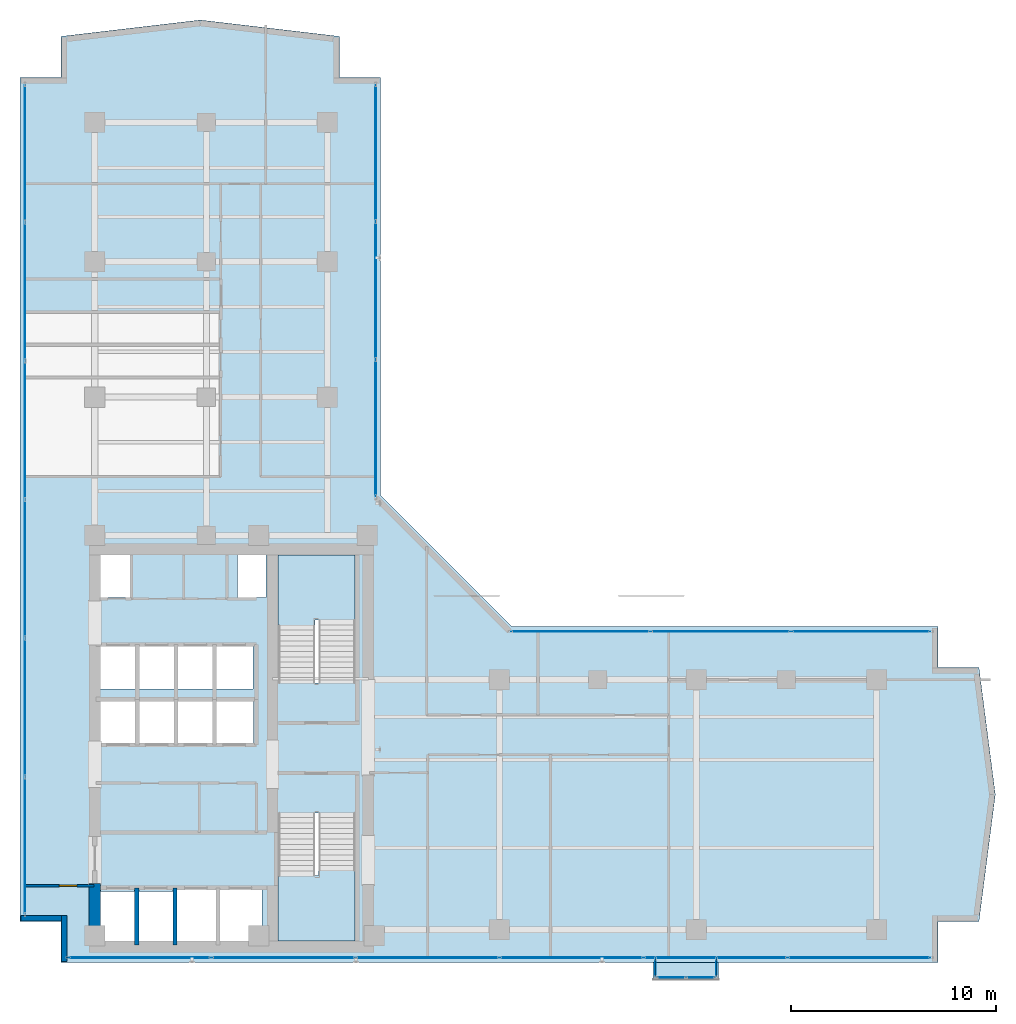
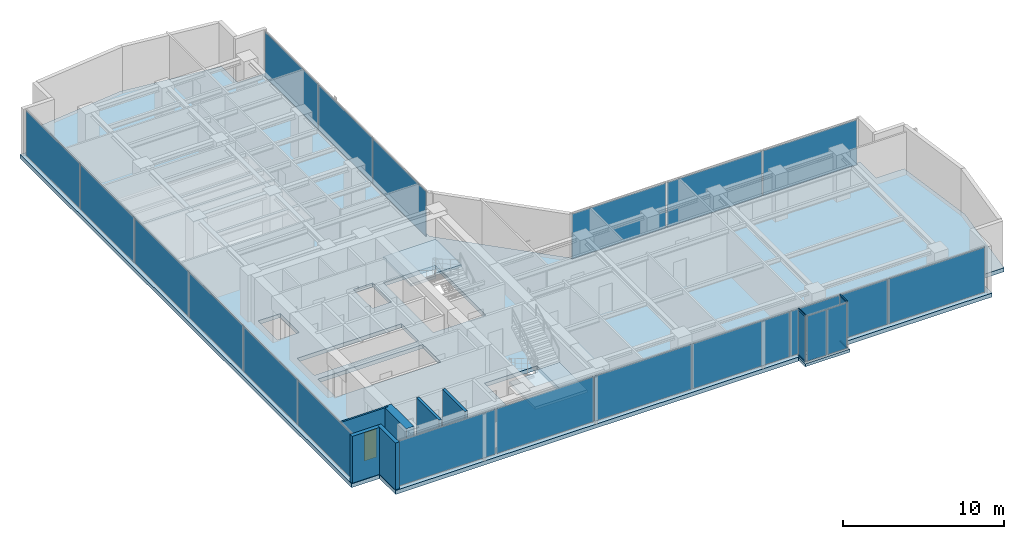
# One storey, part 16 of 25: 22 plates, 6 walls, 4 members, 4 slabs, 1 door, 1 opening, 9 elements without a shape of their own.
"""IFC4 building model written with IfcOpenShell, lengths in metres."""

from ifc_helpers import new_model, si_unit, direction, frame, frame_2d, origin, origin_with_axes, origin_2d, place, context, subcontext, project, spatial, polyline, rectangle, hollow_rectangle, outline, extrude, source, transform, mapped, material, layer, layer_set, material_profile, profile_set, type_object, element, fill, aggregate, save


model = new_model("IFC4")

# Units and contexts
model_context = context("Model", 3, precision=1e-05, world=origin(), true_north=direction((0.0, 1.0)))
body_context = subcontext(model_context, "Body", "Model", "MODEL_VIEW")
ifc_project = project(units=[si_unit("LENGTHUNIT", "METRE"), si_unit("AREAUNIT", "SQUARE_METRE"), si_unit("VOLUMEUNIT", "CUBIC_METRE"), si_unit("PLANEANGLEUNIT", "RADIAN"), si_unit("MASSUNIT", "GRAM", prefix="KILO")], contexts=[model_context])

# Site, building, storey
site_placement = place(None, origin())
site = spatial("IfcSite", under=ifc_project, at=site_placement, CompositionType="ELEMENT")
building_placement = place(site_placement, origin())
building = spatial("IfcBuilding", under=site, at=building_placement, Name="Kolvaren Waterfront Exchange", CompositionType="ELEMENT")
storey_placement = place(building_placement, frame((0.0, 0.0, 223.5)))
storey = spatial("IfcBuildingStorey", under=building, at=storey_placement, Name="L57", CompositionType="ELEMENT", Elevation=223.5)

# Curtain wall, members
ifc_material_1 = material(Name="Anodised bronze aluminium 6063-T6", Category="aluminium")
ifc_layer_1 = layer(ifc_material_1, 0.219970703125, Name="Anodised bronze aluminium 6063-T6")
ifc_layer_set_1 = layer_set([ifc_layer_1], Name="Anodised bronze aluminium 6063-T6")
curtain_wall_type_1 = type_object("IfcCurtainWallType", Name="ARC-CW-SYS3", PredefinedType="USERDEFINED", material=ifc_layer_set_1)
curtain_wall_1_placement = place(storey_placement, origin())
curtain_wall_1 = element("IfcCurtainWall", 1, at=curtain_wall_1_placement, inside=storey, type_object=curtain_wall_type_1, Name="L57 stick curtain wall CW3 (CW-L57-BOX-W)", ObjectType="STICK CURTAIN WALL", PredefinedType="USERDEFINED")
ifc_material_profile = material_profile(ifc_material_1, hollow_rectangle(XDim=0.06494140625, YDim=0.1298828125, WallThickness=0.00390625, at=origin_2d()), Name="ALU-TRN-130x65x4")
ifc_profile_set = profile_set([ifc_material_profile], Name="Anodised bronze aluminium 6063-T6")
member_type = type_object("IfcMemberType", Name="ARC-CWT-130", PredefinedType="USERDEFINED", material=ifc_profile_set)
shared_shape_1 = source(origin_with_axes(), body_context, "Body", "SweptSolid", [
    extrude(hollow_rectangle(XDim=0.06494140625, YDim=0.1298828125, WallThickness=0.00390625, at=origin_2d()), origin(), (0.0, 0.0, 1.0), 0.829833984375),
])
member_1_placement = place(storey_placement, frame((34.81005859375, 3.764892578125, 0.032470703125), z_axis=(0.0, -1.0, 0.0), x_axis=(1.0, 0.0, 0.0)))
member_1 = element("IfcMember", 2, at=member_1_placement, type_object=member_type, Name="CW3 transom 1.1", ObjectType="TRANSOM", PredefinedType="USERDEFINED", context=body_context, shape_type="MappedRepresentation", body=[
    mapped(shared_shape_1, transform((0.0, 0.0, 0.0), x_axis=(1.0, 0.0, 0.0), y_axis=(0.0, 1.0, 0.0), z_axis=(0.0, 0.0, 1.0), scale=1.0)),
])
member_2_placement = place(storey_placement, frame((34.81005859375, 3.764892578125, 3.527587890625), z_axis=(0.0, -1.0, 0.0), x_axis=(1.0, 0.0, 0.0)))
member_2 = element("IfcMember", 3, at=member_2_placement, type_object=member_type, Name="CW3 transom 1.2", ObjectType="TRANSOM", PredefinedType="USERDEFINED", context=body_context, shape_type="MappedRepresentation", body=[
    mapped(shared_shape_1, transform((0.0, 0.0, 0.0), x_axis=(1.0, 0.0, 0.0), y_axis=(0.0, 1.0, 0.0), z_axis=(0.0, 0.0, 1.0), scale=1.0)),
])

curtain_wall_2_placement = place(storey_placement, origin())
curtain_wall_2 = element("IfcCurtainWall", 4, at=curtain_wall_2_placement, inside=storey, type_object=curtain_wall_type_1, Name="L57 stick curtain wall CW3 (CW-L57-BOX-E)", ObjectType="STICK CURTAIN WALL", PredefinedType="USERDEFINED")
member_3_placement = place(storey_placement, frame((37.7900390625, 2.93505859375, 0.032470703125), z_axis=(0.0, 1.0, 0.0), x_axis=(-1.0, 0.0, 0.0)))
member_3 = element("IfcMember", 5, at=member_3_placement, type_object=member_type, Name="CW3 transom 1.1", ObjectType="TRANSOM", PredefinedType="USERDEFINED", context=body_context, shape_type="MappedRepresentation", body=[
    mapped(shared_shape_1, transform((0.0, 0.0, 0.0), x_axis=(1.0, 0.0, 0.0), y_axis=(0.0, 1.0, 0.0), z_axis=(0.0, 0.0, 1.0), scale=1.0)),
])
member_4_placement = place(storey_placement, frame((37.7900390625, 2.93505859375, 3.527587890625), z_axis=(0.0, 1.0, 0.0), x_axis=(-1.0, 0.0, 0.0)))
member_4 = element("IfcMember", 6, at=member_4_placement, type_object=member_type, Name="CW3 transom 1.2", ObjectType="TRANSOM", PredefinedType="USERDEFINED", context=body_context, shape_type="MappedRepresentation", body=[
    mapped(shared_shape_1, transform((0.0, 0.0, 0.0), x_axis=(1.0, 0.0, 0.0), y_axis=(0.0, 1.0, 0.0), z_axis=(0.0, 0.0, 1.0), scale=1.0)),
])

# Stair, slab
ifc_material_2 = material(Name="Concrete C40/50", Category="concrete")
stair_type = type_object("IfcStairType", Name="ARC-STAIR-3800", PredefinedType="HALF_TURN_STAIR", material=ifc_material_2)
stair_1_placement = place(storey_placement, origin())
stair_1 = element("IfcStair", 7, at=stair_1_placement, inside=storey, type_object=stair_type, Name="L57 Smoke-proof exit stair ST1", PredefinedType="HALF_TURN_STAIR")
ifc_layer_2 = layer(ifc_material_2, 0.199951171875, Name="Concrete C40/50")
ifc_layer_set_2 = layer_set([ifc_layer_2], Name="Concrete C40/50")
slab_type_1 = type_object("IfcSlabType", Name="STR-LANDING-200", PredefinedType="LANDING", material=ifc_layer_set_2)
slab_1_placement = place(storey_placement, frame((0.0, 0.0, 1.77587890625)))
slab_1 = element("IfcSlab", 8, at=slab_1_placement, type_object=slab_type_1, Name="ST1 landing 1", PredefinedType="LANDING", context=body_context, shape_type="SweptSolid", body=[
    extrude(outline(polyline([(16.39990234375, 7.840087890625), (16.39990234375, 4.64990234375), (20.159912109375, 4.64990234375), (20.159912109375, 8.10009765625), (18.360107421875, 8.10009765625), (18.360107421875, 7.840087890625), (16.39990234375, 7.840087890625)])), origin(), (0.0, 0.0, 1.0), 0.2001953125),
])
aggregate(stair_1, [slab_1])

stair_2_placement = place(storey_placement, origin())
stair_2 = element("IfcStair", 9, at=stair_2_placement, inside=storey, type_object=stair_type, Name="L57 Smoke-proof exit stair ST2", PredefinedType="HALF_TURN_STAIR")
slab_2_placement = place(storey_placement, frame((0.0, 0.0, 1.77587890625)))
slab_2 = element("IfcSlab", 10, at=slab_2_placement, type_object=slab_type_1, Name="ST2 landing 1", PredefinedType="LANDING", context=body_context, shape_type="SweptSolid", body=[
    extrude(outline(polyline([(20.159912109375, 20.31005859375), (20.159912109375, 23.5), (16.39990234375, 23.5), (16.39990234375, 20.050048828125), (18.199951171875, 20.050048828125), (18.199951171875, 20.31005859375), (20.159912109375, 20.31005859375)])), origin(), (0.0, 0.0, 1.0), 0.2001953125),
])
aggregate(stair_2, [slab_2])

# Slabs
ifc_layer_3 = layer(ifc_material_2, 0.300048828125, Name="Concrete C40/50")
ifc_layer_set_3 = layer_set([ifc_layer_3], Name="Concrete C40/50")
slab_type_2 = type_object("IfcSlabType", Name="STR-SLAB-300", PredefinedType="FLOOR", material=ifc_layer_set_3)
slab_3_placement = place(storey_placement, frame((0.0, 0.0, -0.300048828125)))
element("IfcSlab", 11, at=slab_3_placement, inside=storey, type_object=slab_type_2, Name="L57 structural floor slab", PredefinedType="FLOOR", context=body_context, shape_type="SweptSolid", body=[
    extrude(outline(polyline([(5.800048828125, 3.60009765625), (48.60009765625, 3.60009765625), (48.60009765625, 5.60009765625), (50.60009765625, 5.60009765625), (51.39990234375, 11.800048828125), (50.60009765625, 18.0), (48.60009765625, 18.0), (48.60009765625, 20.0), (27.800048828125, 20.0), (21.39990234375, 26.39990234375), (21.39990234375, 46.800048828125), (19.39990234375, 46.800048828125), (19.39990234375, 48.800048828125), (12.60009765625, 49.60009765625), (5.800048828125, 48.800048828125), (5.800048828125, 46.800048828125), (3.800048828125, 46.800048828125), (3.800048828125, 5.60009765625), (5.800048828125, 5.60009765625), (5.800048828125, 3.60009765625)]), holes=[polyline([(11.320068359375, 7.260009765625), (15.610107421875, 7.260009765625), (15.610107421875, 4.5400390625), (7.719970703125, 4.5400390625), (7.719970703125, 7.06005859375), (11.320068359375, 7.06005859375), (11.320068359375, 7.260009765625)]), polyline([(20.159912109375, 10.89990234375), (20.159912109375, 4.64990234375), (16.39990234375, 4.64990234375), (16.39990234375, 10.89990234375), (20.159912109375, 10.89990234375)]), polyline([(15.18505859375, 14.239990234375), (7.64501953125, 14.239990234375), (7.64501953125, 16.4599609375), (15.18505859375, 16.4599609375), (15.18505859375, 14.239990234375)]), polyline([(15.159912109375, 16.93994140625), (7.669921875, 16.93994140625), (7.669921875, 19.06005859375), (15.159912109375, 19.06005859375), (15.159912109375, 16.93994140625)]), polyline([(16.39990234375, 17.25), (16.39990234375, 23.5), (20.159912109375, 23.5), (20.159912109375, 17.25), (16.39990234375, 17.25)]), polyline([(7.60009765625, 23.780029296875), (9.179931640625, 23.780029296875), (9.179931640625, 21.419921875), (7.60009765625, 21.419921875), (7.60009765625, 23.780029296875)]), polyline([(14.419921875, 23.780029296875), (15.800048828125, 23.780029296875), (15.800048828125, 21.419921875), (14.419921875, 21.419921875), (14.419921875, 23.780029296875)])]), origin(), (0.0, 0.0, 1.0), 0.300048828125),
])
ifc_layer_4 = layer(ifc_material_2, 0.219970703125, Name="Concrete C40/50")
ifc_layer_set_4 = layer_set([ifc_layer_4], Name="Concrete C40/50")
slab_type_3 = type_object("IfcSlabType", Name="STR-TERR-220", PredefinedType="FLOOR", material=ifc_layer_set_4)
slab_4_placement = place(storey_placement, frame((0.0, 0.0, -0.219970703125)))
element("IfcSlab", 12, at=slab_4_placement, inside=storey, type_object=slab_type_3, Name="L57 projecting bay-box floor strip", PredefinedType="FLOOR", context=body_context, shape_type="SweptSolid", body=[
    extrude(outline(polyline([(34.699951171875, 2.75), (37.89990234375, 2.75), (37.89990234375, 3.60009765625), (34.699951171875, 3.60009765625), (34.699951171875, 2.75)])), origin(), (0.0, 0.0, 1.0), 0.219970703125),
])

# Plate
ifc_material_3 = material(Name="Bronze tinted bay-box vision glass", Category="aluminium")
ifc_layer_5 = layer(ifc_material_3, 0.02392578125, Name="Bronze tinted bay-box vision glass")
ifc_layer_set_5 = layer_set([ifc_layer_5], Name="Bronze tinted bay-box vision glass")
plate_type_1 = type_object("IfcPlateType", Name="ARC-CWP-24", PredefinedType="CURTAIN_PANEL", material=ifc_layer_set_5)
shared_shape_2 = source(origin_with_axes(), body_context, "Body", "SweptSolid", [
    extrude(rectangle(XDim=0.830078125, YDim=0.02392578125, at=origin_2d()), origin(), (0.0, 0.0, 1.0), 3.429931640625),
])
plate_1_placement = place(storey_placement, frame((34.81005859375, 3.35009765625, 0.06494140625), z_axis=(0.0, 0.0, 1.0), x_axis=(0.0, -1.0, 0.0)))
plate_1 = element("IfcPlate", 13, at=plate_1_placement, type_object=plate_type_1, Name="CW3 panel 1.1", PredefinedType="CURTAIN_PANEL", context=body_context, shape_type="MappedRepresentation", body=[
    mapped(shared_shape_2, transform((0.0, 0.0, 0.0), x_axis=(1.0, 0.0, 0.0), y_axis=(0.0, 1.0, 0.0), z_axis=(0.0, 0.0, 1.0), scale=1.0)),
])

aggregate(curtain_wall_1, [member_1, member_2, plate_1])

plate_2_placement = place(storey_placement, frame((37.7900390625, 3.35009765625, 0.06494140625), z_axis=(0.0, 0.0, 1.0), x_axis=(0.0, 1.0, 0.0)))
plate_2 = element("IfcPlate", 14, at=plate_2_placement, type_object=plate_type_1, Name="CW3 panel 1.1", PredefinedType="CURTAIN_PANEL", context=body_context, shape_type="MappedRepresentation", body=[
    mapped(shared_shape_2, transform((0.0, 0.0, 0.0), x_axis=(1.0, 0.0, 0.0), y_axis=(0.0, 1.0, 0.0), z_axis=(0.0, 0.0, 1.0), scale=1.0)),
])

aggregate(curtain_wall_2, [member_3, member_4, plate_2])

# Curtain wall, plates
curtain_wall_3_placement = place(storey_placement, origin())
curtain_wall_3 = element("IfcCurtainWall", 15, at=curtain_wall_3_placement, inside=storey, type_object=curtain_wall_type_1, Name="L57 stick curtain wall CW3 (CW-L57-BOX)", ObjectType="STICK CURTAIN WALL", PredefinedType="USERDEFINED")
shared_shape_3 = source(origin_with_axes(), body_context, "Body", "SweptSolid", [
    extrude(rectangle(XDim=1.37744140625, YDim=0.02392578125, at=origin_2d()), origin(), (0.0, 0.0, 1.0), 3.429931640625),
])
plate_3_placement = place(storey_placement, frame((35.57373046875, 2.860107421875, 0.06494140625), z_axis=(0.0, 0.0, 1.0), x_axis=(1.0, 0.0, 0.0)))
plate_3 = element("IfcPlate", 16, at=plate_3_placement, type_object=plate_type_1, Name="CW3 panel 1.1", PredefinedType="CURTAIN_PANEL", context=body_context, shape_type="MappedRepresentation", body=[
    mapped(shared_shape_3, transform((0.0, 0.0, 0.0), x_axis=(1.0, 0.0, 0.0), y_axis=(0.0, 1.0, 0.0), z_axis=(0.0, 0.0, 1.0), scale=1.0)),
])
plate_4_placement = place(storey_placement, frame((37.0263671875, 2.860107421875, 0.06494140625), z_axis=(0.0, 0.0, 1.0), x_axis=(1.0, 0.0, 0.0)))
plate_4 = element("IfcPlate", 17, at=plate_4_placement, type_object=plate_type_1, Name="CW3 panel 2.1", PredefinedType="CURTAIN_PANEL", context=body_context, shape_type="MappedRepresentation", body=[
    mapped(shared_shape_3, transform((0.0, 0.0, 0.0), x_axis=(1.0, 0.0, 0.0), y_axis=(0.0, 1.0, 0.0), z_axis=(0.0, 0.0, 1.0), scale=1.0)),
])
aggregate(curtain_wall_3, [plate_3, plate_4])

ifc_material_4 = material(Name="Anodised aluminium 6063-T6", Category="aluminium")
ifc_layer_6 = layer(ifc_material_4, 0.219970703125, Name="Anodised aluminium 6063-T6")
ifc_layer_set_6 = layer_set([ifc_layer_6], Name="Anodised aluminium 6063-T6")
curtain_wall_type_2 = type_object("IfcCurtainWallType", Name="ARC-CW-SYS2", PredefinedType="USERDEFINED", material=ifc_layer_set_6)
curtain_wall_4_placement = place(storey_placement, origin())
curtain_wall_4 = element("IfcCurtainWall", 18, at=curtain_wall_4_placement, inside=storey, type_object=curtain_wall_type_2, Name="L57 stick curtain wall CW2 (CW-L57-W)", ObjectType="STICK CURTAIN WALL", PredefinedType="USERDEFINED")
ifc_material_5 = material(Name="Acoustic laminated vision glass", Category="glass")
ifc_layer_7 = layer(ifc_material_5, 0.031982421875, Name="Acoustic laminated vision glass")
ifc_layer_set_7 = layer_set([ifc_layer_7], Name="Acoustic laminated vision glass")
plate_type_2 = type_object("IfcPlateType", Name="ARC-CWP-32", PredefinedType="CURTAIN_PANEL", material=ifc_layer_set_7)
shared_shape_4 = source(origin_with_axes(), body_context, "Body", "SweptSolid", [
    extrude(rectangle(XDim=6.646728515625, YDim=0.031982421875, at=origin_2d()), origin(), (0.0, 0.0, 1.0), 3.409912109375),
])
plate_5_placement = place(storey_placement, frame((4.0400390625, 9.30322265625, 0.0751953125), z_axis=(0.0, 0.0, 1.0), x_axis=(0.0, 1.0, 0.0)))
plate_5 = element("IfcPlate", 19, at=plate_5_placement, type_object=plate_type_2, Name="CW2 panel 1.1", PredefinedType="CURTAIN_PANEL", context=body_context, shape_type="MappedRepresentation", body=[
    mapped(shared_shape_4, transform((0.0, 0.0, 0.0), x_axis=(1.0, 0.0, 0.0), y_axis=(0.0, 1.0, 0.0), z_axis=(0.0, 0.0, 1.0), scale=1.0)),
])
plate_6_placement = place(storey_placement, frame((4.0400390625, 43.0966796875, 0.0751953125), z_axis=(0.0, 0.0, 1.0), x_axis=(0.0, 1.0, 0.0)))
plate_6 = element("IfcPlate", 20, at=plate_6_placement, type_object=plate_type_2, Name="CW2 panel 6.1", PredefinedType="CURTAIN_PANEL", context=body_context, shape_type="MappedRepresentation", body=[
    mapped(shared_shape_4, transform((0.0, 0.0, 0.0), x_axis=(1.0, 0.0, 0.0), y_axis=(0.0, 1.0, 0.0), z_axis=(0.0, 0.0, 1.0), scale=1.0)),
])
shared_shape_5 = source(origin_with_axes(), body_context, "Body", "SweptSolid", [
    extrude(rectangle(XDim=6.686767578125, YDim=0.031982421875, at=origin_2d()), origin(), (0.0, 0.0, 1.0), 3.409912109375),
])
plate_7_placement = place(storey_placement, frame((4.0400390625, 16.050048828125, 0.0751953125), z_axis=(0.0, 0.0, 1.0), x_axis=(0.0, 1.0, 0.0)))
plate_7 = element("IfcPlate", 21, at=plate_7_placement, type_object=plate_type_2, Name="CW2 panel 2.1", PredefinedType="CURTAIN_PANEL", context=body_context, shape_type="MappedRepresentation", body=[
    mapped(shared_shape_5, transform((0.0, 0.0, 0.0), x_axis=(1.0, 0.0, 0.0), y_axis=(0.0, 1.0, 0.0), z_axis=(0.0, 0.0, 1.0), scale=1.0)),
])
plate_8_placement = place(storey_placement, frame((4.0400390625, 22.816650390625, 0.0751953125), z_axis=(0.0, 0.0, 1.0), x_axis=(0.0, 1.0, 0.0)))
plate_8 = element("IfcPlate", 22, at=plate_8_placement, type_object=plate_type_2, Name="CW2 panel 3.1", PredefinedType="CURTAIN_PANEL", context=body_context, shape_type="MappedRepresentation", body=[
    mapped(shared_shape_5, transform((0.0, 0.0, 0.0), x_axis=(1.0, 0.0, 0.0), y_axis=(0.0, 1.0, 0.0), z_axis=(0.0, 0.0, 1.0), scale=1.0)),
])
plate_9_placement = place(storey_placement, frame((4.0400390625, 29.583251953125, 0.0751953125), z_axis=(0.0, 0.0, 1.0), x_axis=(0.0, 1.0, 0.0)))
plate_9 = element("IfcPlate", 23, at=plate_9_placement, type_object=plate_type_2, Name="CW2 panel 4.1", PredefinedType="CURTAIN_PANEL", context=body_context, shape_type="MappedRepresentation", body=[
    mapped(shared_shape_5, transform((0.0, 0.0, 0.0), x_axis=(1.0, 0.0, 0.0), y_axis=(0.0, 1.0, 0.0), z_axis=(0.0, 0.0, 1.0), scale=1.0)),
])
plate_10_placement = place(storey_placement, frame((4.0400390625, 36.35009765625, 0.0751953125), z_axis=(0.0, 0.0, 1.0), x_axis=(0.0, 1.0, 0.0)))
plate_10 = element("IfcPlate", 24, at=plate_10_placement, type_object=plate_type_2, Name="CW2 panel 5.1", PredefinedType="CURTAIN_PANEL", context=body_context, shape_type="MappedRepresentation", body=[
    mapped(shared_shape_5, transform((0.0, 0.0, 0.0), x_axis=(1.0, 0.0, 0.0), y_axis=(0.0, 1.0, 0.0), z_axis=(0.0, 0.0, 1.0), scale=1.0)),
])
aggregate(curtain_wall_4, [plate_5, plate_7, plate_8, plate_9, plate_10, plate_6])

ifc_layer_8 = layer(ifc_material_1, 0.219970703125, Name="Anodised bronze aluminium 6063-T6")
ifc_layer_set_8 = layer_set([ifc_layer_8], Name="Anodised bronze aluminium 6063-T6")
curtain_wall_type_3 = type_object("IfcCurtainWallType", Name="ARC-CW-SYS4", PredefinedType="USERDEFINED", material=ifc_layer_set_8)
curtain_wall_5_placement = place(storey_placement, origin())
curtain_wall_5 = element("IfcCurtainWall", 25, at=curtain_wall_5_placement, inside=storey, type_object=curtain_wall_type_3, Name="L57 stick curtain wall CW4 (CW-L57-S)", ObjectType="STICK CURTAIN WALL", PredefinedType="USERDEFINED")
ifc_material_6 = material(Name="High-span laminated vision glass", Category="glass")
ifc_layer_9 = layer(ifc_material_6, 0.035888671875, Name="High-span laminated vision glass")
ifc_layer_set_9 = layer_set([ifc_layer_9], Name="High-span laminated vision glass")
plate_type_3 = type_object("IfcPlateType", Name="ARC-CWP-36", PredefinedType="CURTAIN_PANEL", material=ifc_layer_set_9)
shared_shape_6 = source(origin_with_axes(), body_context, "Body", "SweptSolid", [
    extrude(rectangle(XDim=6.913330078125, YDim=0.035888671875, at=origin_2d()), origin(), (0.0, 0.0, 1.0), 3.409912109375),
])
plate_11_placement = place(storey_placement, frame((9.63671875, 3.840087890625, 0.0751953125), z_axis=(0.0, 0.0, 1.0), x_axis=(1.0, 0.0, 0.0)))
plate_11 = element("IfcPlate", 26, at=plate_11_placement, type_object=plate_type_3, Name="CW4 panel 1.1", PredefinedType="CURTAIN_PANEL", context=body_context, shape_type="MappedRepresentation", body=[
    mapped(shared_shape_6, transform((0.0, 0.0, 0.0), x_axis=(1.0, 0.0, 0.0), y_axis=(0.0, 1.0, 0.0), z_axis=(0.0, 0.0, 1.0), scale=1.0)),
])
plate_12_placement = place(storey_placement, frame((44.763427734375, 3.840087890625, 0.0751953125), z_axis=(0.0, 0.0, 1.0), x_axis=(1.0, 0.0, 0.0)))
plate_12 = element("IfcPlate", 27, at=plate_12_placement, type_object=plate_type_3, Name="CW4 panel 6.1", PredefinedType="CURTAIN_PANEL", context=body_context, shape_type="MappedRepresentation", body=[
    mapped(shared_shape_6, transform((0.0, 0.0, 0.0), x_axis=(1.0, 0.0, 0.0), y_axis=(0.0, 1.0, 0.0), z_axis=(0.0, 0.0, 1.0), scale=1.0)),
])
shared_shape_7 = source(origin_with_axes(), body_context, "Body", "SweptSolid", [
    extrude(rectangle(XDim=6.953369140625, YDim=0.035888671875, at=origin_2d()), origin(), (0.0, 0.0, 1.0), 3.409912109375),
])
plate_13_placement = place(storey_placement, frame((16.64990234375, 3.840087890625, 0.0751953125), z_axis=(0.0, 0.0, 1.0), x_axis=(1.0, 0.0, 0.0)))
plate_13 = element("IfcPlate", 28, at=plate_13_placement, type_object=plate_type_3, Name="CW4 panel 2.1", PredefinedType="CURTAIN_PANEL", context=body_context, shape_type="MappedRepresentation", body=[
    mapped(shared_shape_7, transform((0.0, 0.0, 0.0), x_axis=(1.0, 0.0, 0.0), y_axis=(0.0, 1.0, 0.0), z_axis=(0.0, 0.0, 1.0), scale=1.0)),
])
plate_14_placement = place(storey_placement, frame((23.683349609375, 3.840087890625, 0.0751953125), z_axis=(0.0, 0.0, 1.0), x_axis=(1.0, 0.0, 0.0)))
plate_14 = element("IfcPlate", 29, at=plate_14_placement, type_object=plate_type_3, Name="CW4 panel 3.1", PredefinedType="CURTAIN_PANEL", context=body_context, shape_type="MappedRepresentation", body=[
    mapped(shared_shape_7, transform((0.0, 0.0, 0.0), x_axis=(1.0, 0.0, 0.0), y_axis=(0.0, 1.0, 0.0), z_axis=(0.0, 0.0, 1.0), scale=1.0)),
])
plate_15_placement = place(storey_placement, frame((30.716552734375, 3.840087890625, 0.0751953125), z_axis=(0.0, 0.0, 1.0), x_axis=(1.0, 0.0, 0.0)))
plate_15 = element("IfcPlate", 30, at=plate_15_placement, type_object=plate_type_3, Name="CW4 panel 4.1", PredefinedType="CURTAIN_PANEL", context=body_context, shape_type="MappedRepresentation", body=[
    mapped(shared_shape_7, transform((0.0, 0.0, 0.0), x_axis=(1.0, 0.0, 0.0), y_axis=(0.0, 1.0, 0.0), z_axis=(0.0, 0.0, 1.0), scale=1.0)),
])
plate_16_placement = place(storey_placement, frame((37.75, 3.840087890625, 0.0751953125), z_axis=(0.0, 0.0, 1.0), x_axis=(1.0, 0.0, 0.0)))
plate_16 = element("IfcPlate", 31, at=plate_16_placement, type_object=plate_type_3, Name="CW4 panel 5.1", PredefinedType="CURTAIN_PANEL", context=body_context, shape_type="MappedRepresentation", body=[
    mapped(shared_shape_7, transform((0.0, 0.0, 0.0), x_axis=(1.0, 0.0, 0.0), y_axis=(0.0, 1.0, 0.0), z_axis=(0.0, 0.0, 1.0), scale=1.0)),
])
aggregate(curtain_wall_5, [plate_11, plate_13, plate_14, plate_15, plate_16, plate_12])

curtain_wall_6_placement = place(storey_placement, origin())
curtain_wall_6 = element("IfcCurtainWall", 32, at=curtain_wall_6_placement, inside=storey, type_object=curtain_wall_type_3, Name="L57 stick curtain wall CW4 (CW-L57-NE)", ObjectType="STICK CURTAIN WALL", PredefinedType="USERDEFINED")
shared_shape_8 = source(origin_with_axes(), body_context, "Body", "SweptSolid", [
    extrude(rectangle(XDim=6.61669921875, YDim=0.035888671875, at=origin_2d()), origin(), (0.0, 0.0, 1.0), 3.409912109375),
])
plate_17_placement = place(storey_placement, frame((21.159912109375, 29.67822265625, 0.0751953125), z_axis=(0.0, 0.0, 1.0), x_axis=(0.0, 1.0, 0.0)))
plate_17 = element("IfcPlate", 33, at=plate_17_placement, type_object=plate_type_3, Name="CW4 panel 1.1", PredefinedType="CURTAIN_PANEL", context=body_context, shape_type="MappedRepresentation", body=[
    mapped(shared_shape_8, transform((0.0, 0.0, 0.0), x_axis=(1.0, 0.0, 0.0), y_axis=(0.0, 1.0, 0.0), z_axis=(0.0, 0.0, 1.0), scale=1.0)),
])
plate_18_placement = place(storey_placement, frame((21.159912109375, 43.111572265625, 0.0751953125), z_axis=(0.0, 0.0, 1.0), x_axis=(0.0, 1.0, 0.0)))
plate_18 = element("IfcPlate", 34, at=plate_18_placement, type_object=plate_type_3, Name="CW4 panel 3.1", PredefinedType="CURTAIN_PANEL", context=body_context, shape_type="MappedRepresentation", body=[
    mapped(shared_shape_8, transform((0.0, 0.0, 0.0), x_axis=(1.0, 0.0, 0.0), y_axis=(0.0, 1.0, 0.0), z_axis=(0.0, 0.0, 1.0), scale=1.0)),
])
shared_shape_9 = source(origin_with_axes(), body_context, "Body", "SweptSolid", [
    extrude(rectangle(XDim=6.65673828125, YDim=0.035888671875, at=origin_2d()), origin(), (0.0, 0.0, 1.0), 3.409912109375),
])
plate_19_placement = place(storey_placement, frame((21.159912109375, 36.39501953125, 0.0751953125), z_axis=(0.0, 0.0, 1.0), x_axis=(0.0, 1.0, 0.0)))
plate_19 = element("IfcPlate", 35, at=plate_19_placement, type_object=plate_type_3, Name="CW4 panel 2.1", PredefinedType="CURTAIN_PANEL", context=body_context, shape_type="MappedRepresentation", body=[
    mapped(shared_shape_9, transform((0.0, 0.0, 0.0), x_axis=(1.0, 0.0, 0.0), y_axis=(0.0, 1.0, 0.0), z_axis=(0.0, 0.0, 1.0), scale=1.0)),
])
aggregate(curtain_wall_6, [plate_17, plate_19, plate_18])

curtain_wall_7_placement = place(storey_placement, origin())
curtain_wall_7 = element("IfcCurtainWall", 36, at=curtain_wall_7_placement, inside=storey, type_object=curtain_wall_type_3, Name="L57 stick curtain wall CW4 (CW-L57-EN)", ObjectType="STICK CURTAIN WALL", PredefinedType="USERDEFINED")
shared_shape_10 = source(origin_with_axes(), body_context, "Body", "SweptSolid", [
    extrude(rectangle(XDim=6.75, YDim=0.035888671875, at=origin_2d()), origin(), (0.0, 0.0, 1.0), 3.409912109375),
])
plate_20_placement = place(storey_placement, frame((31.14501953125, 19.760009765625, 0.0751953125), z_axis=(0.0, 0.0, 1.0), x_axis=(1.0, 0.0, 0.0)))
plate_20 = element("IfcPlate", 37, at=plate_20_placement, type_object=plate_type_3, Name="CW4 panel 1.1", PredefinedType="CURTAIN_PANEL", context=body_context, shape_type="MappedRepresentation", body=[
    mapped(shared_shape_10, transform((0.0, 0.0, 0.0), x_axis=(1.0, 0.0, 0.0), y_axis=(0.0, 1.0, 0.0), z_axis=(0.0, 0.0, 1.0), scale=1.0)),
])
plate_21_placement = place(storey_placement, frame((44.844970703125, 19.760009765625, 0.0751953125), z_axis=(0.0, 0.0, 1.0), x_axis=(1.0, 0.0, 0.0)))
plate_21 = element("IfcPlate", 38, at=plate_21_placement, type_object=plate_type_3, Name="CW4 panel 3.1", PredefinedType="CURTAIN_PANEL", context=body_context, shape_type="MappedRepresentation", body=[
    mapped(shared_shape_10, transform((0.0, 0.0, 0.0), x_axis=(1.0, 0.0, 0.0), y_axis=(0.0, 1.0, 0.0), z_axis=(0.0, 0.0, 1.0), scale=1.0)),
])
shared_shape_11 = source(origin_with_axes(), body_context, "Body", "SweptSolid", [
    extrude(rectangle(XDim=6.7900390625, YDim=0.035888671875, at=origin_2d()), origin(), (0.0, 0.0, 1.0), 3.409912109375),
])
plate_22_placement = place(storey_placement, frame((37.9951171875, 19.760009765625, 0.0751953125), z_axis=(0.0, 0.0, 1.0), x_axis=(1.0, 0.0, 0.0)))
plate_22 = element("IfcPlate", 39, at=plate_22_placement, type_object=plate_type_3, Name="CW4 panel 2.1", PredefinedType="CURTAIN_PANEL", context=body_context, shape_type="MappedRepresentation", body=[
    mapped(shared_shape_11, transform((0.0, 0.0, 0.0), x_axis=(1.0, 0.0, 0.0), y_axis=(0.0, 1.0, 0.0), z_axis=(0.0, 0.0, 1.0), scale=1.0)),
])
aggregate(curtain_wall_7, [plate_20, plate_22, plate_21])

# Walls
ifc_material_7 = material(Name="Precast concrete C40/50", Category="concrete")
ifc_layer_10 = layer(ifc_material_7, 0.280029296875, Name="Precast concrete C40/50")
ifc_layer_set_10 = layer_set([ifc_layer_10], Name="Precast concrete C40/50")
wall_type_1 = type_object("IfcWallType", Name="ARC-EXT-TERR-280", PredefinedType="SOLIDWALL", material=ifc_layer_set_10)
wall_1_placement = place(storey_placement, frame((5.9599609375, 3.659912109375, 0.0), z_axis=(0.0, 0.0, 1.0), x_axis=(0.0, 1.0, 0.0)))
element("IfcWall", 40, at=wall_1_placement, inside=storey, type_object=wall_type_1, Name="L57 notched corner spandrel pier SW-A", PredefinedType="SOLIDWALL", context=body_context, shape_type="SweptSolid", body=[
    extrude(rectangle(XDim=2.239990234375, YDim=0.280029296875, at=frame_2d((1.1201171875, 0.0))), origin(), (0.0, 0.0, 1.0), 3.56005859375),
])
wall_2_placement = place(storey_placement, frame((3.860107421875, 5.760009765625, 0.0), z_axis=(0.0, 0.0, 1.0), x_axis=(1.0, 0.0, 0.0)))
element("IfcWall", 41, at=wall_2_placement, inside=storey, type_object=wall_type_1, Name="L57 notched corner spandrel pier SW-B", PredefinedType="SOLIDWALL", context=body_context, shape_type="SweptSolid", body=[
    extrude(rectangle(XDim=1.9599609375, YDim=0.280029296875, at=frame_2d((0.97998046875, 0.0))), origin(), (0.0, 0.0, 1.0), 3.56005859375),
])

# Wall, opening, door
ifc_material_8 = material(Name="Acoustic gypsum steel stud", Category="steel")
ifc_layer_11 = layer(ifc_material_8, 0.125, Name="Acoustic gypsum steel stud")
ifc_layer_set_11 = layer_set([ifc_layer_11], Name="Acoustic gypsum steel stud")
wall_type_2 = type_object("IfcWallType", Name="ARC-PART-125", PredefinedType="PARTITIONING", material=ifc_layer_set_11)
wall_3_placement = place(storey_placement, frame((4.0400390625, 7.35009765625, 0.0), z_axis=(0.0, 0.0, 1.0), x_axis=(1.0, 0.0, 0.0)))
wall_3 = element("IfcWall", 42, at=wall_3_placement, inside=storey, type_object=wall_type_2, Name="L57 interior wall PW-L57-SWC-N", PredefinedType="PARTITIONING", context=body_context, shape_type="SweptSolid", body=[
    extrude(rectangle(XDim=3.35986328125, YDim=0.125, at=frame_2d((1.679931640625, 0.0))), origin(), (0.0, 0.0, 1.0), 3.56005859375),
])
opening_placement = place(wall_3_placement, frame((1.686767578125, 0.0, 0.0)))
opening = element("IfcOpeningElement", 43, at=opening_placement, cuts=wall_3, Name="Opening D01", PredefinedType="OPENING", context=body_context, shape_type="SweptSolid", body=[
    extrude(rectangle(XDim=0.85009765625, YDim=2.14990234375, at=frame_2d((0.425048828125, 1.074951171875))), frame((0.0, 0.072509765625, 0.0), z_axis=(0.0, -1.0, 0.0), x_axis=(1.0, 0.0, 0.0)), (0.0, 0.0, 1.0), 0.14501953125),
])
ifc_material_9 = material(Name="Oak veneer timber leaf", Category="wood")
door_type = type_object("IfcDoorType", Name="ARC-DR-900", OperationType="NOTDEFINED", PredefinedType="DOOR", material=ifc_material_9)
door_placement = place(opening_placement, origin())
door = element("IfcDoor", 44, at=door_placement, inside=storey, type_object=door_type, Name="L57 door DR-L57-SWC-D (D01)", OperationType="SINGLE_SWING_RIGHT", OverallHeight=2.14990234375, OverallWidth=0.85009765625, PredefinedType="DOOR", context=body_context, shape_type="SweptSolid", body=[
    extrude(rectangle(XDim=0.85009765625, YDim=2.14990234375, at=frame_2d((0.425048828125, 1.074951171875))), frame((0.0, 0.02490234375, 0.0), z_axis=(0.0, -1.0, 0.0), x_axis=(1.0, 0.0, 0.0)), (0.0, 0.0, 1.0), 0.050048828125),
])
fill(opening, door)

# Walls
ifc_layer_12 = layer(ifc_material_2, 0.199951171875, Name="Concrete C40/50")
ifc_layer_set_12 = layer_set([ifc_layer_12], Name="Concrete C40/50")
wall_type_3 = type_object("IfcWallType", Name="ARC-SHAFT-200", PredefinedType="PARTITIONING", material=ifc_layer_set_12)
for number, where, z_axis, x_axis, name in (
    (45, (9.5, 4.449951171875, 0.0), (0.0, 0.0, 1.0), (0.0, 1.0, 0.0), "L57 interior wall PW-L57-SH1-DIV-95"),
    (46, (11.360107421875, 4.449951171875, 0.0), (0.0, 0.0, 1.0), (0.0, 1.0, 0.0), "L57 interior wall PW-L57-SH1-DIV-113"),
):
    element("IfcWall", number, at=place(storey_placement, frame(where, z_axis=z_axis, x_axis=x_axis)), inside=storey, type_object=wall_type_3, Name=name, PredefinedType="PARTITIONING", context=body_context, shape_type="SweptSolid", body=[
        extrude(rectangle(XDim=2.800048828125, YDim=0.199951171875, at=frame_2d((1.39990234375, 0.0))), origin(), (0.0, 0.0, 1.0), 3.56005859375),
    ])
ifc_material_10 = material(Name="Concrete C50/60", Category="concrete")
ifc_layer_13 = layer(ifc_material_10, 0.550048828125, Name="Concrete C50/60")
ifc_layer_set_13 = layer_set([ifc_layer_13], Name="Concrete C50/60")
wall_type_4 = type_object("IfcWallType", Name="STR-CWALL-550", PredefinedType="SHEAR", material=ifc_layer_set_13)
wall_4_placement = place(storey_placement, frame((7.449951171875, 4.64990234375, 0.0), z_axis=(0.0, 0.0, 1.0), x_axis=(0.0, 1.0, 0.0)))
element("IfcWall", 47, at=wall_4_placement, inside=storey, type_object=wall_type_4, Name="L57 rear-core shear wall W1", PredefinedType="SHEAR", context=body_context, shape_type="SweptSolid", body=[
    extrude(rectangle(XDim=2.800048828125, YDim=0.550048828125, at=frame_2d((1.39990234375, 0.0))), origin(), (0.0, 0.0, 1.0), 3.56005859375),
])

save(model, "model.ifc")
